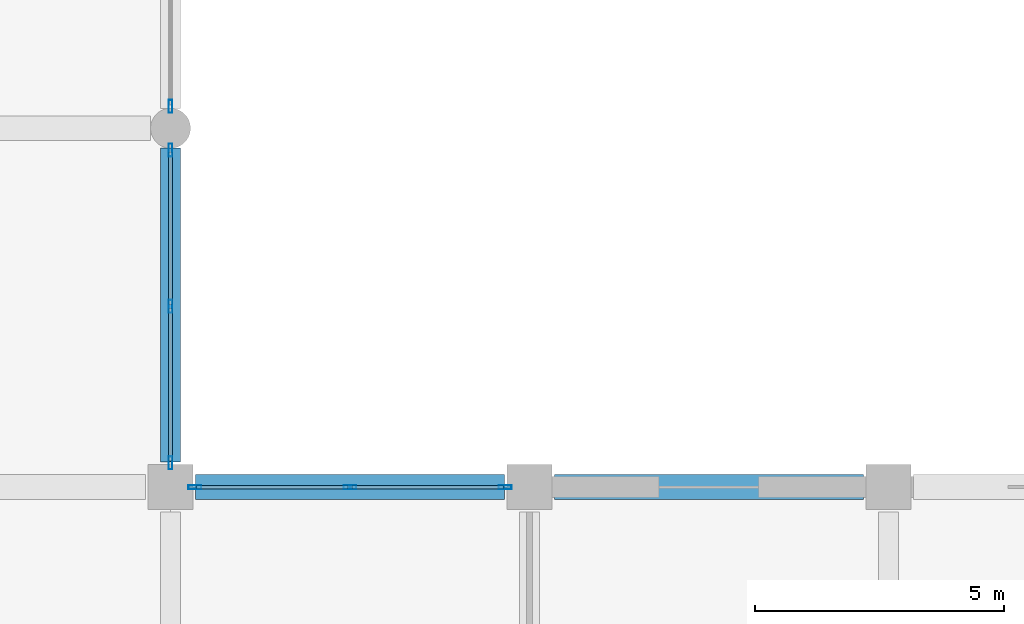
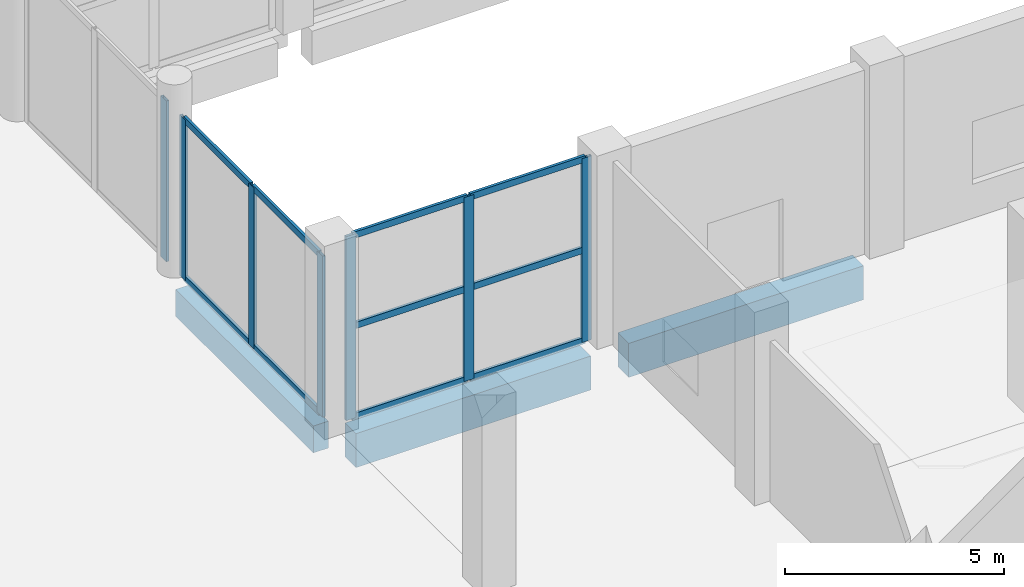
# One storey, part 16 of 70: 17 members, 3 beams, 3 elements without a shape of their own.
"""IFC4 building model written with IfcOpenShell, lengths in metres."""

from ifc_helpers import new_model, si_unit, direction, frame, origin, origin_2d, place, context, subcontext, project, spatial, rectangle, hollow_rectangle, extrude, material, material_profile, profile_set, type_object, element, aggregate, save


model = new_model("IFC4")

# Units and contexts
model_context = context("Model", 3, precision=1e-05, world=origin(), true_north=direction((0.0, 1.0)))
body_context = subcontext(model_context, "Body", "Model", "MODEL_VIEW")
ifc_project = project(units=[si_unit("LENGTHUNIT", "METRE"), si_unit("AREAUNIT", "SQUARE_METRE"), si_unit("VOLUMEUNIT", "CUBIC_METRE"), si_unit("PLANEANGLEUNIT", "RADIAN"), si_unit("MASSUNIT", "GRAM", prefix="KILO")], contexts=[model_context])

# Site, building, storey
site_placement = place(None, origin())
site = spatial("IfcSite", under=ifc_project, at=site_placement, CompositionType="ELEMENT")
building_placement = place(site_placement, origin())
building = spatial("IfcBuilding", under=site, at=building_placement, Name="Vesperath Aquatics Centre", CompositionType="ELEMENT")
storey_placement = place(building_placement, origin())
storey = spatial("IfcBuildingStorey", under=building, at=storey_placement, Name="L00", CompositionType="ELEMENT", Elevation=0.0)

# Beams
ifc_material_1 = material(Name="Concrete C40", Category="concrete")
ifc_material_profile_1 = material_profile(ifc_material_1, rectangle(XDim=0.5, YDim=0.949951171875, at=origin_2d()), Name="RC 500x950")
ifc_profile_set_1 = profile_set([ifc_material_profile_1], Name="Concrete C40")
beam_type_1 = type_object("IfcBeamType", Name="BM-G02", PredefinedType="BEAM", material=ifc_profile_set_1)
beam_1_placement = place(storey_placement, frame((115.699951171875, 50.39990234375, -0.7548828125), z_axis=(1.0, 0.0, 0.0), x_axis=(0.0, 1.0, 0.0)))
element("IfcBeam", 1, at=beam_1_placement, inside=storey, type_object=beam_type_1, Name="Floor Girder B02 L00 H 17-18", PredefinedType="BEAM", context=body_context, shape_type="SweptSolid", body=[
    extrude(rectangle(XDim=0.5, YDim=0.949951171875, at=origin_2d()), origin(), (0.0, 0.0, 1.0), 6.199951171875),
])
beam_2_placement = place(storey_placement, frame((122.89990234375, 50.39990234375, -0.7548828125), z_axis=(1.0, 0.0, 0.0), x_axis=(0.0, 1.0, 0.0)))
element("IfcBeam", 2, at=beam_2_placement, inside=storey, type_object=beam_type_1, Name="Floor Girder B02 L00 H 18-19", PredefinedType="BEAM", context=body_context, shape_type="SweptSolid", body=[
    extrude(rectangle(XDim=0.5, YDim=0.949951171875, at=origin_2d()), origin(), (0.0, 0.0, 1.0), 6.2001953125),
])
ifc_material_2 = material(Name="Concrete C35", Category="concrete")
ifc_material_profile_2 = material_profile(ifc_material_2, rectangle(XDim=0.39990234375, YDim=0.75, at=origin_2d()), Name="RC 400x750")
ifc_profile_set_2 = profile_set([ifc_material_profile_2], Name="Concrete C35")
beam_type_2 = type_object("IfcBeamType", Name="BM-G04", PredefinedType="BEAM", material=ifc_profile_set_2)
beam_3_placement = place(storey_placement, frame((115.199951171875, 50.89990234375, -0.655029296875), z_axis=(0.0, 1.0, 0.0), x_axis=(-1.0, 0.0, 0.0)))
element("IfcBeam", 3, at=beam_3_placement, inside=storey, type_object=beam_type_2, Name="Floor Girder B04 L00 17 H-J", PredefinedType="BEAM", context=body_context, shape_type="SweptSolid", body=[
    extrude(rectangle(XDim=0.39990234375, YDim=0.75, at=origin_2d()), origin(), (0.0, 0.0, 1.0), 6.300048828125),
])

# Curtain wall, members
ifc_material_3 = material(Name="Thermally broken anodised bronze aluminium curtain wall", Category="aluminium")
curtain_wall_type = type_object("IfcCurtainWallType", Name="CW-01", PredefinedType="NOTDEFINED", material=ifc_material_3)
curtain_wall_1_placement = place(storey_placement, origin())
curtain_wall_1 = element("IfcCurtainWall", 4, at=curtain_wall_1_placement, inside=storey, type_object=curtain_wall_type, Name="Facade Curtain Wall CW01 L00_N_16_07", PredefinedType="NOTDEFINED")
ifc_material_4 = material(Name="Thermally broken anodised aluminium", Category="aluminium")
ifc_material_profile_3 = material_profile(ifc_material_4, hollow_rectangle(XDim=0.074951171875, YDim=0.260009765625, WallThickness=0.006103515625, at=origin_2d()), Name="CWM 75x260x6")
ifc_profile_set_3 = profile_set([ifc_material_profile_3], Name="Thermally broken anodised aluminium")
member_type_1 = type_object("IfcMemberType", Name="MB-CWM1", PredefinedType="MULLION", material=ifc_profile_set_3)
member_1_placement = place(storey_placement, frame((115.6875, 50.39990234375, 0.0), z_axis=(0.0, 0.0, 1.0), x_axis=(0.0, 1.0, 0.0)))
member_1 = element("IfcMember", 5, at=member_1_placement, type_object=member_type_1, Name="CW01 mullion 1", PredefinedType="MULLION", context=body_context, shape_type="SweptSolid", body=[
    extrude(hollow_rectangle(XDim=0.074951171875, YDim=0.260009765625, WallThickness=0.006103515625, at=origin_2d()), origin(), (0.0, 0.0, 1.0), 5.139892578125),
])
member_2_placement = place(storey_placement, frame((118.800048828125, 50.39990234375, 0.0), z_axis=(0.0, 0.0, 1.0), x_axis=(0.0, 1.0, 0.0)))
member_2 = element("IfcMember", 6, at=member_2_placement, type_object=member_type_1, Name="CW01 mullion 2", PredefinedType="MULLION", context=body_context, shape_type="SweptSolid", body=[
    extrude(hollow_rectangle(XDim=0.074951171875, YDim=0.260009765625, WallThickness=0.006103515625, at=origin_2d()), origin(), (0.0, 0.0, 1.0), 5.139892578125),
])
member_3_placement = place(storey_placement, frame((121.91259765625, 50.39990234375, 0.0), z_axis=(0.0, 0.0, 1.0), x_axis=(0.0, 1.0, 0.0)))
member_3 = element("IfcMember", 7, at=member_3_placement, type_object=member_type_1, Name="CW01 mullion 3", PredefinedType="MULLION", context=body_context, shape_type="SweptSolid", body=[
    extrude(hollow_rectangle(XDim=0.074951171875, YDim=0.260009765625, WallThickness=0.006103515625, at=origin_2d()), origin(), (0.0, 0.0, 1.0), 5.139892578125),
])

curtain_wall_2_placement = place(storey_placement, origin())
curtain_wall_2 = element("IfcCurtainWall", 8, at=curtain_wall_2_placement, inside=storey, type_object=curtain_wall_type, Name="Facade Curtain Wall CW01 L00_E_16_07", PredefinedType="NOTDEFINED")
member_4_placement = place(storey_placement, frame((115.199951171875, 50.887451171875, 0.0), z_axis=(0.0, 0.0, 1.0), x_axis=(-1.0, 0.0, 0.0)))
member_4 = element("IfcMember", 9, at=member_4_placement, type_object=member_type_1, Name="CW01 mullion 1", PredefinedType="MULLION", context=body_context, shape_type="SweptSolid", body=[
    extrude(hollow_rectangle(XDim=0.074951171875, YDim=0.260009765625, WallThickness=0.006103515625, at=origin_2d()), origin(), (0.0, 0.0, 1.0), 4.489990234375),
])
member_5_placement = place(storey_placement, frame((115.199951171875, 54.02490234375, 0.0), z_axis=(0.0, 0.0, 1.0), x_axis=(-1.0, 0.0, 0.0)))
member_5 = element("IfcMember", 10, at=member_5_placement, type_object=member_type_1, Name="CW01 mullion 2", PredefinedType="MULLION", context=body_context, shape_type="SweptSolid", body=[
    extrude(hollow_rectangle(XDim=0.074951171875, YDim=0.260009765625, WallThickness=0.006103515625, at=origin_2d()), origin(), (0.0, 0.0, 1.0), 4.489990234375),
])
member_6_placement = place(storey_placement, frame((115.199951171875, 57.16259765625, 0.0), z_axis=(0.0, 0.0, 1.0), x_axis=(-1.0, 0.0, 0.0)))
member_6 = element("IfcMember", 11, at=member_6_placement, type_object=member_type_1, Name="CW01 mullion 3", PredefinedType="MULLION", context=body_context, shape_type="SweptSolid", body=[
    extrude(hollow_rectangle(XDim=0.074951171875, YDim=0.260009765625, WallThickness=0.006103515625, at=origin_2d()), origin(), (0.0, 0.0, 1.0), 4.489990234375),
])

# Curtain wall, member
curtain_wall_3_placement = place(storey_placement, origin())
curtain_wall_3 = element("IfcCurtainWall", 12, at=curtain_wall_3_placement, inside=storey, type_object=curtain_wall_type, Name="Facade Curtain Wall CW01 L00_E_16_08", PredefinedType="NOTDEFINED")
member_7_placement = place(storey_placement, frame((115.199951171875, 58.03759765625, 0.0), z_axis=(0.0, 0.0, 1.0), x_axis=(-1.0, 0.0, 0.0)))
member_7 = element("IfcMember", 13, at=member_7_placement, type_object=member_type_1, Name="CW01 mullion 1", PredefinedType="MULLION", context=body_context, shape_type="SweptSolid", body=[
    extrude(hollow_rectangle(XDim=0.074951171875, YDim=0.260009765625, WallThickness=0.006103515625, at=origin_2d()), origin(), (0.0, 0.0, 1.0), 4.489990234375),
])
aggregate(curtain_wall_3, [member_7])

# Member
ifc_material_profile_4 = material_profile(ifc_material_4, hollow_rectangle(XDim=0.074951171875, YDim=0.179931640625, WallThickness=0.0048828125, at=origin_2d()), Name="CWT 75x180x5")
ifc_profile_set_4 = profile_set([ifc_material_profile_4], Name="Thermally broken anodised aluminium")
member_type_2 = type_object("IfcMemberType", Name="MB-CWT1", PredefinedType="USERDEFINED", material=ifc_profile_set_4)
member_8_placement = place(storey_placement, frame((115.72509765625, 50.39990234375, 0.03759765625), z_axis=(1.0, 0.0, 0.0), x_axis=(0.0, 1.0, 0.0)))
member_8 = element("IfcMember", 14, at=member_8_placement, type_object=member_type_2, Name="CW01 transom 1.1", ObjectType="TRANSOM", PredefinedType="USERDEFINED", context=body_context, shape_type="SweptSolid", body=[
    extrude(hollow_rectangle(XDim=0.074951171875, YDim=0.179931640625, WallThickness=0.0048828125, at=origin_2d()), origin(), (0.0, 0.0, 1.0), 3.037353515625),
])

member_9_placement = place(storey_placement, frame((115.72509765625, 50.39990234375, 2.570068359375), z_axis=(1.0, 0.0, 0.0), x_axis=(0.0, 1.0, 0.0)))
member_9 = element("IfcMember", 15, at=member_9_placement, type_object=member_type_2, Name="CW01 transom 1.2", ObjectType="TRANSOM", PredefinedType="USERDEFINED", context=body_context, shape_type="SweptSolid", body=[
    extrude(hollow_rectangle(XDim=0.074951171875, YDim=0.179931640625, WallThickness=0.0048828125, at=origin_2d()), origin(), (0.0, 0.0, 1.0), 3.037353515625),
])

member_10_placement = place(storey_placement, frame((115.72509765625, 50.39990234375, 5.1025390625), z_axis=(1.0, 0.0, 0.0), x_axis=(0.0, 1.0, 0.0)))
member_10 = element("IfcMember", 16, at=member_10_placement, type_object=member_type_2, Name="CW01 transom 1.3", ObjectType="TRANSOM", PredefinedType="USERDEFINED", context=body_context, shape_type="SweptSolid", body=[
    extrude(hollow_rectangle(XDim=0.074951171875, YDim=0.179931640625, WallThickness=0.0048828125, at=origin_2d()), origin(), (0.0, 0.0, 1.0), 3.037353515625),
])

member_11_placement = place(storey_placement, frame((118.83740234375, 50.39990234375, 0.03759765625), z_axis=(1.0, 0.0, 0.0), x_axis=(0.0, 1.0, 0.0)))
member_11 = element("IfcMember", 17, at=member_11_placement, type_object=member_type_2, Name="CW01 transom 2.1", ObjectType="TRANSOM", PredefinedType="USERDEFINED", context=body_context, shape_type="SweptSolid", body=[
    extrude(hollow_rectangle(XDim=0.074951171875, YDim=0.179931640625, WallThickness=0.0048828125, at=origin_2d()), origin(), (0.0, 0.0, 1.0), 3.03759765625),
])

member_12_placement = place(storey_placement, frame((118.83740234375, 50.39990234375, 2.570068359375), z_axis=(1.0, 0.0, 0.0), x_axis=(0.0, 1.0, 0.0)))
member_12 = element("IfcMember", 18, at=member_12_placement, type_object=member_type_2, Name="CW01 transom 2.2", ObjectType="TRANSOM", PredefinedType="USERDEFINED", context=body_context, shape_type="SweptSolid", body=[
    extrude(hollow_rectangle(XDim=0.074951171875, YDim=0.179931640625, WallThickness=0.0048828125, at=origin_2d()), origin(), (0.0, 0.0, 1.0), 3.03759765625),
])

member_13_placement = place(storey_placement, frame((118.83740234375, 50.39990234375, 5.1025390625), z_axis=(1.0, 0.0, 0.0), x_axis=(0.0, 1.0, 0.0)))
member_13 = element("IfcMember", 19, at=member_13_placement, type_object=member_type_2, Name="CW01 transom 2.3", ObjectType="TRANSOM", PredefinedType="USERDEFINED", context=body_context, shape_type="SweptSolid", body=[
    extrude(hollow_rectangle(XDim=0.074951171875, YDim=0.179931640625, WallThickness=0.0048828125, at=origin_2d()), origin(), (0.0, 0.0, 1.0), 3.03759765625),
])

aggregate(curtain_wall_1, [member_1, member_2, member_3, member_8, member_9, member_10, member_11, member_12, member_13])

member_14_placement = place(storey_placement, frame((115.199951171875, 50.925048828125, 0.03759765625), z_axis=(0.0, 1.0, 0.0), x_axis=(-1.0, 0.0, 0.0)))
member_14 = element("IfcMember", 20, at=member_14_placement, type_object=member_type_2, Name="CW01 transom 1.1", ObjectType="TRANSOM", PredefinedType="USERDEFINED", context=body_context, shape_type="SweptSolid", body=[
    extrude(hollow_rectangle(XDim=0.074951171875, YDim=0.179931640625, WallThickness=0.0048828125, at=origin_2d()), origin(), (0.0, 0.0, 1.0), 3.0625),
])

member_15_placement = place(storey_placement, frame((115.199951171875, 50.925048828125, 4.452392578125), z_axis=(0.0, 1.0, 0.0), x_axis=(-1.0, 0.0, 0.0)))
member_15 = element("IfcMember", 21, at=member_15_placement, type_object=member_type_2, Name="CW01 transom 1.2", ObjectType="TRANSOM", PredefinedType="USERDEFINED", context=body_context, shape_type="SweptSolid", body=[
    extrude(hollow_rectangle(XDim=0.074951171875, YDim=0.179931640625, WallThickness=0.0048828125, at=origin_2d()), origin(), (0.0, 0.0, 1.0), 3.0625),
])

member_16_placement = place(storey_placement, frame((115.199951171875, 54.0625, 0.03759765625), z_axis=(0.0, 1.0, 0.0), x_axis=(-1.0, 0.0, 0.0)))
member_16 = element("IfcMember", 22, at=member_16_placement, type_object=member_type_2, Name="CW01 transom 2.1", ObjectType="TRANSOM", PredefinedType="USERDEFINED", context=body_context, shape_type="SweptSolid", body=[
    extrude(hollow_rectangle(XDim=0.074951171875, YDim=0.179931640625, WallThickness=0.0048828125, at=origin_2d()), origin(), (0.0, 0.0, 1.0), 3.0625),
])

member_17_placement = place(storey_placement, frame((115.199951171875, 54.0625, 4.452392578125), z_axis=(0.0, 1.0, 0.0), x_axis=(-1.0, 0.0, 0.0)))
member_17 = element("IfcMember", 23, at=member_17_placement, type_object=member_type_2, Name="CW01 transom 2.2", ObjectType="TRANSOM", PredefinedType="USERDEFINED", context=body_context, shape_type="SweptSolid", body=[
    extrude(hollow_rectangle(XDim=0.074951171875, YDim=0.179931640625, WallThickness=0.0048828125, at=origin_2d()), origin(), (0.0, 0.0, 1.0), 3.0625),
])

aggregate(curtain_wall_2, [member_4, member_5, member_6, member_14, member_15, member_16, member_17])

save(model, "model.ifc")
